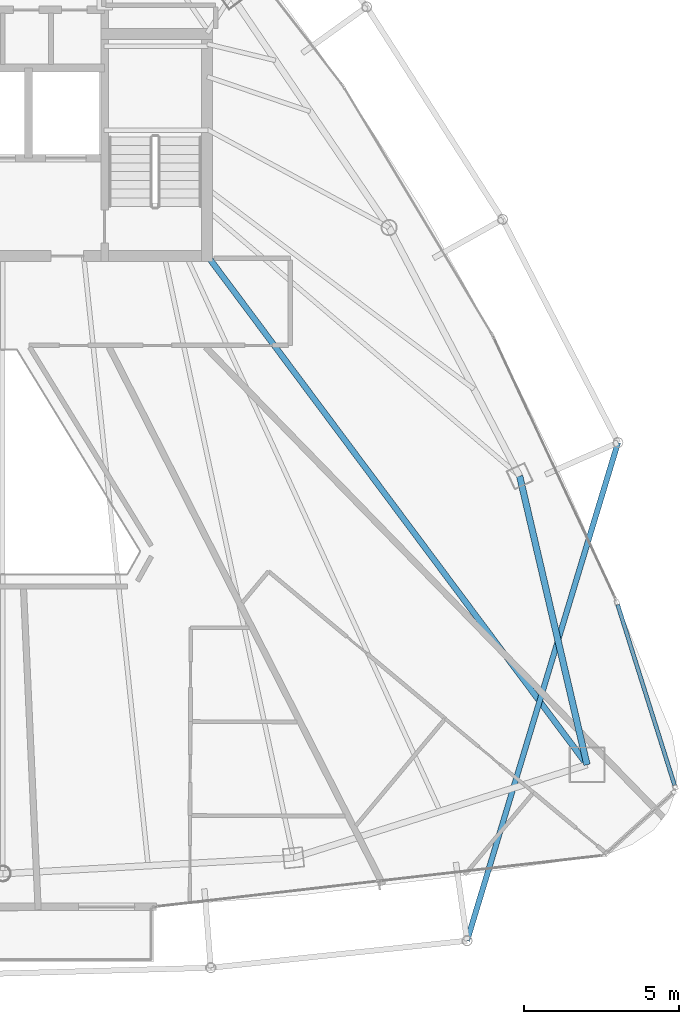
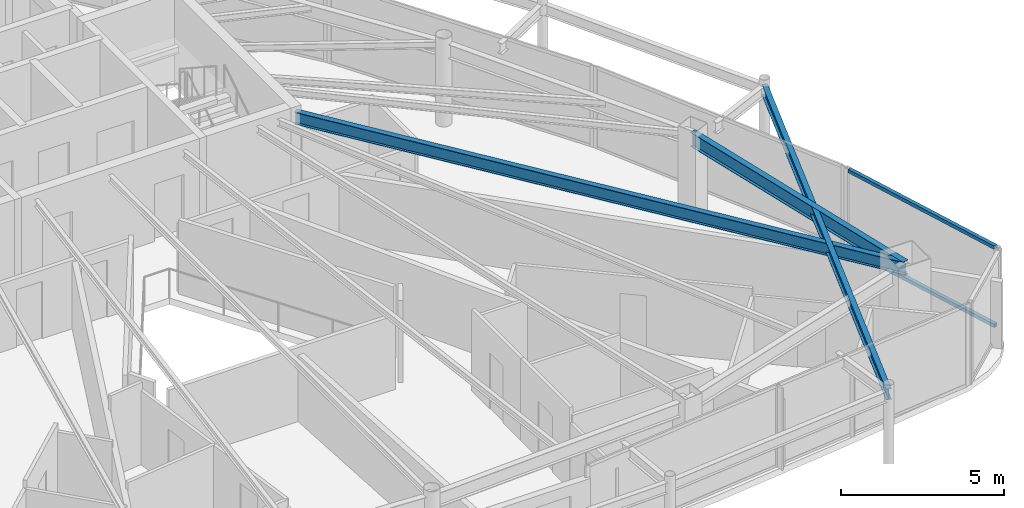
# One storey, part 15 of 30: 3 beams, 2 members, 1 element without a shape of its own.
"""IFC4 building model written with IfcOpenShell, lengths in metres."""

from ifc_helpers import new_model, si_unit, direction, frame, origin, origin_2d, place, context, subcontext, project, spatial, hollow_rectangle, i_section, extrude, material, layer, layer_set, material_profile, profile_set, type_object, element, aggregate, save


model = new_model("IFC4")

# Units and contexts
model_context = context("Model", 3, precision=1e-05, world=origin(), true_north=direction((0.0, 1.0)))
body_context = subcontext(model_context, "Body", "Model", "MODEL_VIEW")
ifc_project = project(units=[si_unit("LENGTHUNIT", "METRE"), si_unit("AREAUNIT", "SQUARE_METRE"), si_unit("VOLUMEUNIT", "CUBIC_METRE"), si_unit("PLANEANGLEUNIT", "RADIAN"), si_unit("MASSUNIT", "GRAM", prefix="KILO")], contexts=[model_context])

# Site, building, storey
site_placement = place(None, origin())
site = spatial("IfcSite", under=ifc_project, at=site_placement, CompositionType="ELEMENT")
building_placement = place(site_placement, origin())
building = spatial("IfcBuilding", under=site, at=building_placement, Name="Orvanel Arch Residences", CompositionType="ELEMENT")
storey_placement = place(building_placement, frame((0.0, 0.0, 270.050048828125)))
storey = spatial("IfcBuildingStorey", under=building, at=storey_placement, Name="L77", CompositionType="ELEMENT", Elevation=270.050048828125)

# Beams
ifc_material_1 = material(Name="Structural steel AS/NZS 3679.1 Grade 300 (300 MPa)", Category="steel")
ifc_material_profile_1 = material_profile(ifc_material_1, i_section(OverallWidth=0.19091796875, OverallDepth=0.4599609375, WebThickness=0.010009765625, FlangeThickness=0.01611328125, at=origin_2d()), Name="460UB82.1")
ifc_profile_set_1 = profile_set([ifc_material_profile_1], Name="Structural steel AS/NZS 3679.1 Grade 300 (300 MPa)")
beam_type_1 = type_object("IfcBeamType", Name="BG-460UB", PredefinedType="BEAM", material=ifc_profile_set_1)
beam_1_placement = place(storey_placement, frame((39.625, 26.675048828125, 2.829833984375), z_axis=(0.597893733742, -0.801575375839, 0.0), x_axis=(0.801575375839, 0.597893733742, 0.0)))
element("IfcBeam", 1, at=beam_1_placement, inside=storey, type_object=beam_type_1, Name="L77 South-East Radial Girder", PredefinedType="BEAM", context=body_context, shape_type="SweptSolid", body=[
    extrude(i_section(OverallWidth=0.19091796875, OverallDepth=0.4599609375, WebThickness=0.010009765625, FlangeThickness=0.01611328125, at=origin_2d()), origin(), (0.0, 0.0, 1.0), 20.36474609375),
])
ifc_material_profile_2 = material_profile(ifc_material_1, i_section(OverallWidth=0.177978515625, OverallDepth=0.406005859375, WebThickness=0.0078125, FlangeThickness=0.0126953125, at=origin_2d()), Name="410UB59.7")
ifc_profile_set_2 = profile_set([ifc_material_profile_2], Name="Structural steel AS/NZS 3679.1 Grade 300 (300 MPa)")
beam_type_2 = type_object("IfcBeamType", Name="OB-410UB-EXT", PredefinedType="SPANDREL", material=ifc_profile_set_2)
beam_2_placement = place(storey_placement, frame((47.93994140625, 4.68603515625, 2.85693359375), z_axis=(0.28994147739, 0.957044377074, 0.0), x_axis=(-0.957044377074, 0.28994147739, 0.0)))
element("IfcBeam", 2, at=beam_2_placement, inside=storey, type_object=beam_type_2, Name="L77 Outer Perimeter Floor Ring Beam 08", PredefinedType="SPANDREL", context=body_context, shape_type="SweptSolid", body=[
    extrude(i_section(OverallWidth=0.177978515625, OverallDepth=0.406005859375, WebThickness=0.0078125, FlangeThickness=0.0126953125, at=origin_2d()), origin(), (0.0, 0.0, 1.0), 16.755615234375),
])
ifc_material_profile_3 = material_profile(ifc_material_1, i_section(OverallWidth=0.208984375, OverallDepth=0.532958984375, WebThickness=0.01025390625, FlangeThickness=0.015625, at=origin_2d()), Name="530UB92.4")
ifc_profile_set_3 = profile_set([ifc_material_profile_3], Name="Structural steel AS/NZS 3679.1 Grade 300 (300 MPa)")
beam_type_3 = type_object("IfcBeamType", Name="SP-530UB", PredefinedType="SPANDREL", material=ifc_profile_set_3)
beam_3_placement = place(storey_placement, frame((51.801025390625, 10.35107421875, 2.7939453125), z_axis=(-0.227236087167, 0.973839699688, 0.0), x_axis=(-0.973839699688, -0.227236087167, 0.0)))
element("IfcBeam", 3, at=beam_3_placement, inside=storey, type_object=beam_type_3, Name="L77 Perimeter Spandrel Beam 06", PredefinedType="SPANDREL", context=body_context, shape_type="SweptSolid", body=[
    extrude(i_section(OverallWidth=0.208984375, OverallDepth=0.532958984375, WebThickness=0.01025390625, FlangeThickness=0.015625, at=origin_2d()), origin(), (0.0, 0.0, 1.0), 9.54052734375),
])

# Curtain wall, members
ifc_material_2 = material(Name="Bronze-anodised aluminium AA6063-T6", Category="aluminium")
ifc_layer = layer(ifc_material_2, 0.18994140625)
ifc_layer_set = layer_set([ifc_layer], Name="Bronze-anodised aluminium AA6063-T6")
curtain_wall_type = type_object("IfcCurtainWallType", Name="CW5-CRN-SYS", PredefinedType="NOTDEFINED", material=ifc_layer_set)
curtain_wall_placement = place(storey_placement, origin())
curtain_wall = element("IfcCurtainWall", 4, at=curtain_wall_placement, inside=storey, type_object=curtain_wall_type, Name="L77 CW5-CRN-SYS Unitised Curtain Wall", PredefinedType="NOTDEFINED")
ifc_material_profile_4 = material_profile(ifc_material_2, hollow_rectangle(XDim=0.1298828125, YDim=0.1298828125, WallThickness=0.00439453125, at=origin_2d()), Name="ALU130x130x4.5")
ifc_profile_set_4 = profile_set([ifc_material_profile_4], Name="Bronze-anodised aluminium AA6063-T6")
member_type = type_object("IfcMemberType", Name="TRN-130x130", PredefinedType="USERDEFINED", material=ifc_profile_set_4)
member_1_placement = place(storey_placement, frame((54.618896484375, 9.694091796875, 0.06494140625), z_axis=(-0.300691878419, 0.953721339938, 0.0), x_axis=(-0.953721339938, -0.300691878419, 0.0)))
member_1 = element("IfcMember", 5, at=member_1_placement, type_object=member_type, Name="CW-S5 transom 1.1", ObjectType="TRANSOM", PredefinedType="USERDEFINED", context=body_context, shape_type="SweptSolid", body=[
    extrude(hollow_rectangle(XDim=0.1298828125, YDim=0.1298828125, WallThickness=0.00439453125, at=origin_2d()), origin(), (0.0, 0.0, 1.0), 6.088623046875),
])
member_2_placement = place(storey_placement, frame((54.618896484375, 9.694091796875, 2.994873046875), z_axis=(-0.300691878419, 0.953721339938, 0.0), x_axis=(-0.953721339938, -0.300691878419, 0.0)))
member_2 = element("IfcMember", 6, at=member_2_placement, type_object=member_type, Name="CW-S5 transom 1.2", ObjectType="TRANSOM", PredefinedType="USERDEFINED", context=body_context, shape_type="SweptSolid", body=[
    extrude(hollow_rectangle(XDim=0.1298828125, YDim=0.1298828125, WallThickness=0.00439453125, at=origin_2d()), origin(), (0.0, 0.0, 1.0), 6.088623046875),
])
aggregate(curtain_wall, [member_1, member_2])

save(model, "model.ifc")
